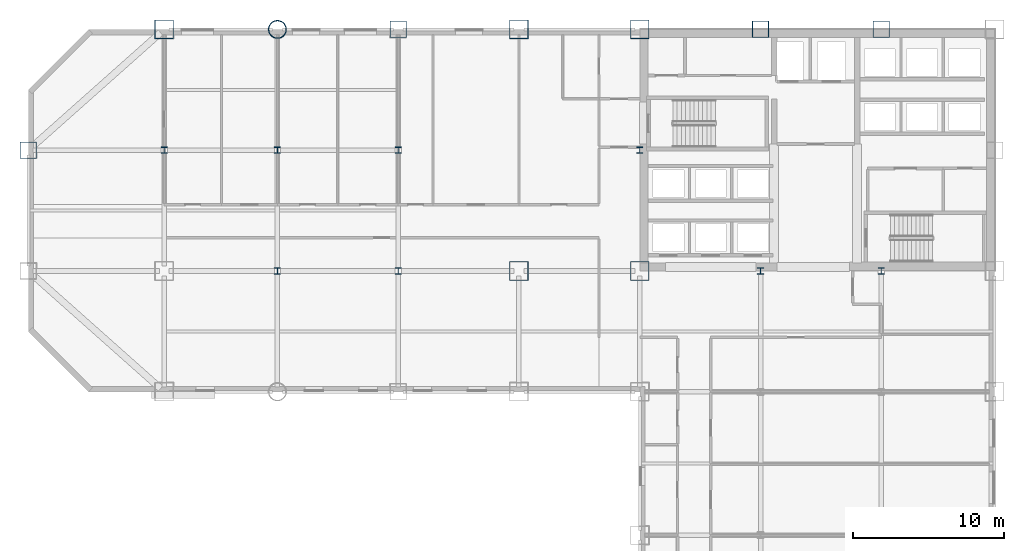
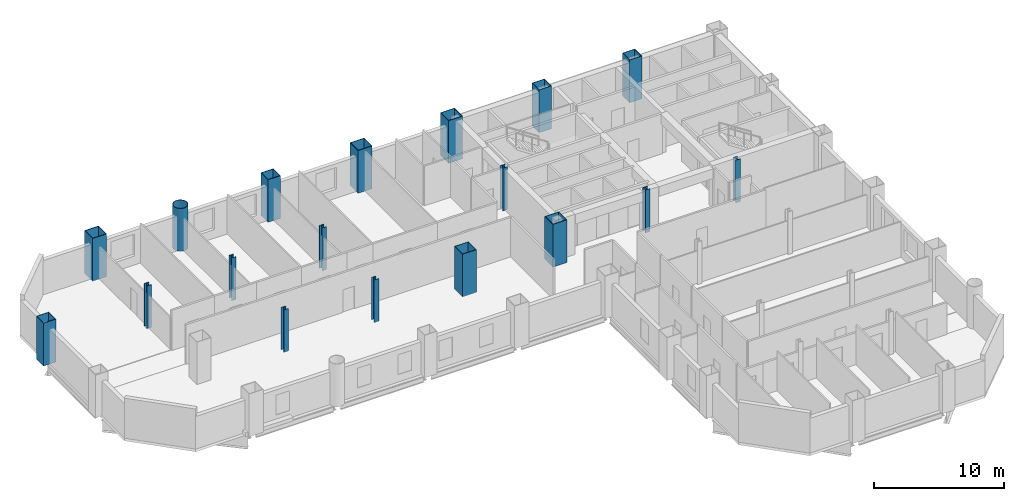
# One storey, part 2 of 9: 18 columns.
"""IFC4 building model written with IfcOpenShell, lengths in metres."""

from ifc_helpers import new_model, si_unit, direction, frame, origin, origin_2d, place, context, subcontext, project, spatial, hollow_rectangle, hollow_circle, i_section, extrude, material, material_profile, profile_set, type_object, element, save


model = new_model("IFC4")

# Units and contexts
model_context = context("Model", 3, precision=1e-05, world=origin(), true_north=direction((0.0, 1.0)))
body_context = subcontext(model_context, "Body", "Model", "MODEL_VIEW")
ifc_project = project(units=[si_unit("LENGTHUNIT", "METRE"), si_unit("AREAUNIT", "SQUARE_METRE"), si_unit("VOLUMEUNIT", "CUBIC_METRE"), si_unit("PLANEANGLEUNIT", "RADIAN"), si_unit("MASSUNIT", "GRAM", prefix="KILO")], contexts=[model_context])

# Site, building, storey
site_placement = place(None, origin())
site = spatial("IfcSite", under=ifc_project, at=site_placement, CompositionType="ELEMENT")
building_placement = place(site_placement, origin())
building = spatial("IfcBuilding", under=site, at=building_placement, Name="Qianrong Seaharbour Tower", CompositionType="ELEMENT")
storey_placement = place(building_placement, frame((0.0, 0.0, 32.199951171875)))
storey = spatial("IfcBuildingStorey", under=building, at=storey_placement, Name="L07", CompositionType="ELEMENT", Elevation=32.199951171875)

# Columns
ifc_material = material(Name="Structural steel SN490B", Category="steel")
ifc_material_profile_1 = material_profile(ifc_material, hollow_rectangle(XDim=1.25, YDim=1.25, WallThickness=0.044921875, at=origin_2d()), Name="BOX1250x1250x45")
ifc_profile_set_1 = profile_set([ifc_material_profile_1], Name="Structural steel SN490B")
column_type_1 = type_object("IfcColumnType", Name="COL-CFT-1250", PredefinedType="COLUMN", material=ifc_profile_set_1)
for number, where, z_axis, x_axis, name in (
    (1, (9.0, 52.0, 0.0), (0.0, 0.0, 1.0), (1.0, 0.0, 0.0), "L07 Column MC-2 at G2/GH"),
    (2, (32.5, 36.0, 0.0), (0.0, 0.0, 1.0), (1.0, 0.0, 0.0), "L07 Column MC-2 at G5/GF"),
    (3, (32.5, 52.0, 0.0), (0.0, 0.0, 1.0), (1.0, 0.0, 0.0), "L07 Column MC-2 at G5/GH"),
    (4, (40.5, 36.0, 0.0), (0.0, 0.0, 1.0), (1.0, 0.0, 0.0), "L07 Column MC-2 at G6/GF"),
    (5, (40.5, 52.0, 0.0), (0.0, 0.0, 1.0), (1.0, 0.0, 0.0), "L07 Column MC-2 at G6/GH"),
):
    element("IfcColumn", number, at=place(storey_placement, frame(where, z_axis=z_axis, x_axis=x_axis)), inside=storey, type_object=column_type_1, Name=name, PredefinedType="COLUMN", context=body_context, shape_type="SweptSolid", body=[
        extrude(hollow_rectangle(XDim=1.25, YDim=1.25, WallThickness=0.044921875, at=origin_2d()), origin(), (0.0, 0.0, 1.0), 4.0),
    ])
ifc_material_profile_2 = material_profile(ifc_material, hollow_circle(Radius=0.60009765625, WallThickness=0.0400390625, at=origin_2d()), Name="CHS1200x40")
ifc_profile_set_2 = profile_set([ifc_material_profile_2], Name="Structural steel SN490B")
column_type_2 = type_object("IfcColumnType", Name="COL-CHS-1200", PredefinedType="COLUMN", material=ifc_profile_set_2)
column_placement = place(storey_placement, frame((16.5, 52.0, 0.0), z_axis=(0.0, 0.0, 1.0), x_axis=(1.0, 0.0, 0.0)))
element("IfcColumn", 6, at=column_placement, inside=storey, type_object=column_type_2, Name="L07 Column CC-1 at G3/GH", PredefinedType="COLUMN", context=body_context, shape_type="SweptSolid", body=[
    extrude(hollow_circle(Radius=0.60009765625, WallThickness=0.0400390625, at=origin_2d()), origin(), (0.0, 0.0, 1.0), 4.0),
])
ifc_material_profile_3 = material_profile(ifc_material, i_section(OverallWidth=0.406982421875, OverallDepth=0.427978515625, WebThickness=0.02001953125, FlangeThickness=0.034912109375, FilletRadius=0.02197265625, at=origin_2d()), Name="H428x407x20x35")
ifc_profile_set_3 = profile_set([ifc_material_profile_3], Name="Structural steel SN490B")
column_type_3 = type_object("IfcColumnType", Name="COL-INT-H428", PredefinedType="COLUMN", material=ifc_profile_set_3)
for number, where, z_axis, x_axis, name in (
    (7, (9.0, 44.0, 0.0), (0.0, 0.0, 1.0), (1.0, 0.0, 0.0), "L07 Column IC-2 at G2/GG"),
    (8, (16.5, 36.0, 0.0), (0.0, 0.0, 1.0), (1.0, 0.0, 0.0), "L07 Column IC-2 at G3/GF"),
    (9, (16.5, 44.0, 0.0), (0.0, 0.0, 1.0), (1.0, 0.0, 0.0), "L07 Column IC-2 at G3/GG"),
    (10, (24.5, 36.0, 0.0), (0.0, 0.0, 1.0), (1.0, 0.0, 0.0), "L07 Column IC-2 at G4/GF"),
    (11, (24.5, 44.0, 0.0), (0.0, 0.0, 1.0), (1.0, 0.0, 0.0), "L07 Column IC-2 at G4/GG"),
    (12, (40.5, 44.0, 0.0), (0.0, 0.0, 1.0), (1.0, 0.0, 0.0), "L07 Column IC-2 at G6/GG"),
    (13, (48.5, 36.0, 0.0), (0.0, 0.0, 1.0), (1.0, 0.0, 0.0), "L07 Column IC-2 at G7/GF"),
    (14, (56.5, 36.0, 0.0), (0.0, 0.0, 1.0), (1.0, 0.0, 0.0), "L07 Column IC-2 at G8/GF"),
):
    element("IfcColumn", number, at=place(storey_placement, frame(where, z_axis=z_axis, x_axis=x_axis)), inside=storey, type_object=column_type_3, Name=name, PredefinedType="COLUMN", context=body_context, shape_type="SweptSolid", body=[
        extrude(i_section(OverallWidth=0.406982421875, OverallDepth=0.427978515625, WebThickness=0.02001953125, FlangeThickness=0.034912109375, FilletRadius=0.02197265625, at=origin_2d()), origin(), (0.0, 0.0, 1.0), 4.0),
    ])
ifc_material_profile_4 = material_profile(ifc_material, hollow_rectangle(XDim=1.10009765625, YDim=1.10009765625, WallThickness=0.0400390625, at=origin_2d()), Name="BOX1100x1100x40")
ifc_profile_set_4 = profile_set([ifc_material_profile_4], Name="Structural steel SN490B")
column_type_4 = type_object("IfcColumnType", Name="COL-PER-1100", PredefinedType="COLUMN", material=ifc_profile_set_4)
for number, where, z_axis, x_axis, name in (
    (15, (0.0, 44.0, 0.0), (0.0, 0.0, 1.0), (1.0, 0.0, 0.0), "L07 Column PC-1 at G1/GG"),
    (16, (24.5, 52.0, 0.0), (0.0, 0.0, 1.0), (1.0, 0.0, 0.0), "L07 Column PC-1 at G4/GH"),
    (17, (48.5, 52.0, 0.0), (0.0, 0.0, 1.0), (1.0, 0.0, 0.0), "L07 Column PC-1 at G7/GH"),
    (18, (56.5, 52.0, 0.0), (0.0, 0.0, 1.0), (1.0, 0.0, 0.0), "L07 Column PC-1 at G8/GH"),
):
    element("IfcColumn", number, at=place(storey_placement, frame(where, z_axis=z_axis, x_axis=x_axis)), inside=storey, type_object=column_type_4, Name=name, PredefinedType="COLUMN", context=body_context, shape_type="SweptSolid", body=[
        extrude(hollow_rectangle(XDim=1.10009765625, YDim=1.10009765625, WallThickness=0.0400390625, at=origin_2d()), origin(), (0.0, 0.0, 1.0), 4.0),
    ])

save(model, "model.ifc")
